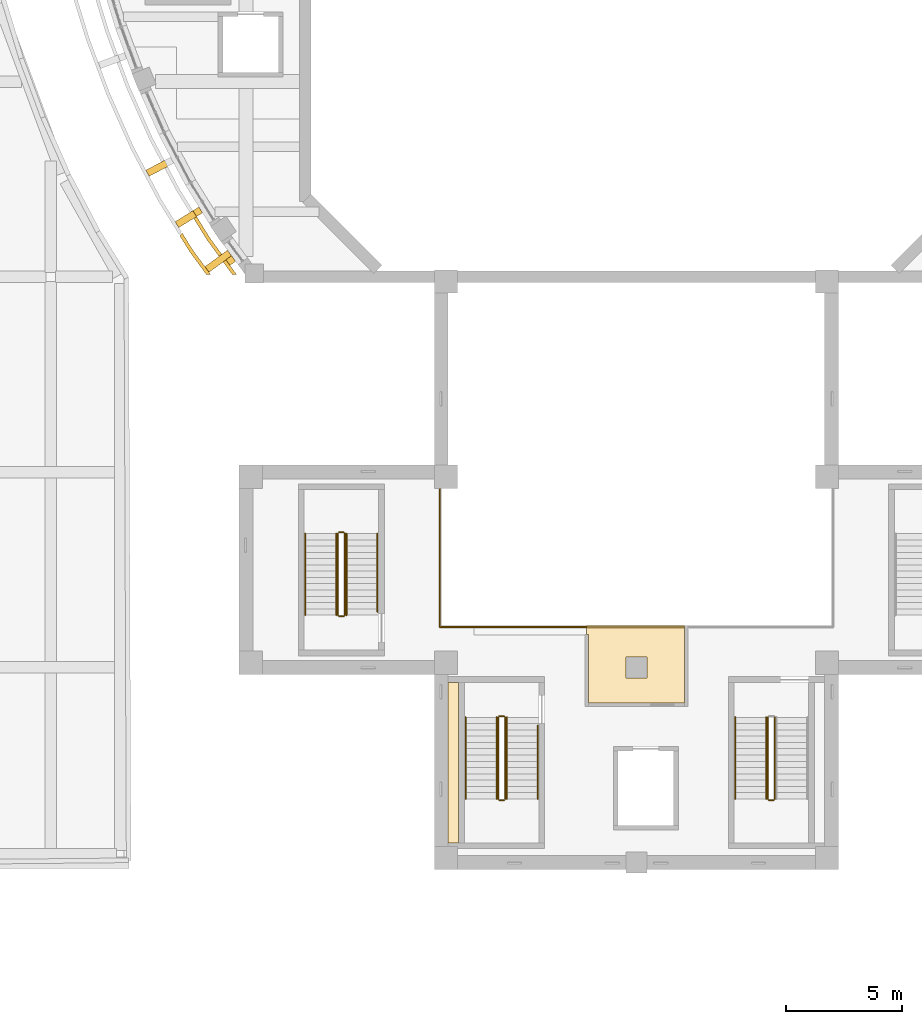
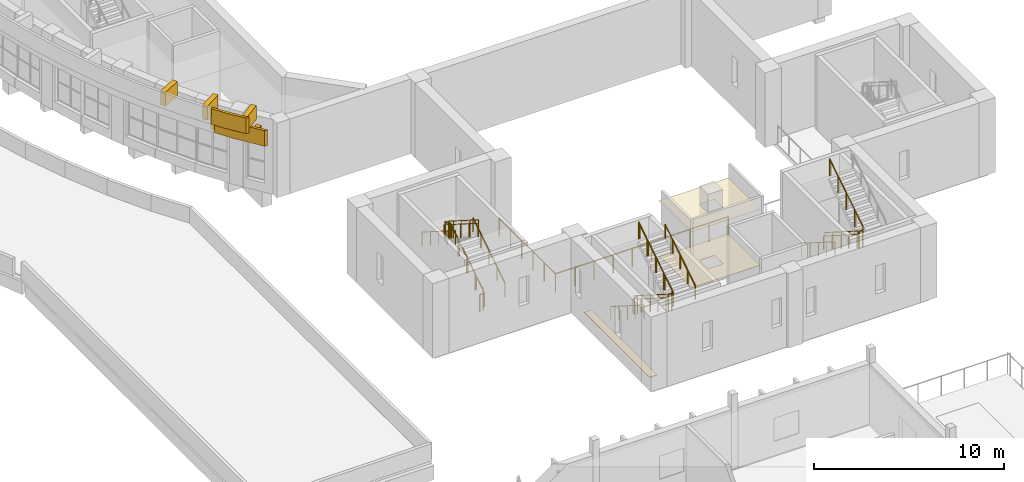
# One storey, part 60 of 79: 22 railings, 10 coverings.
"""IFC4 building model written with IfcOpenShell, lengths in metres."""

from ifc_helpers import new_model, si_unit, direction, frame, origin, origin_2d, place, context, subcontext, project, spatial, polyline, rectangle, circle, outline, extrude, material, layer, layer_set, type_object, element, save


model = new_model("IFC4")

# Units and contexts
model_context = context("Model", 3, precision=1e-05, world=origin(), true_north=direction((0.0, 1.0)))
body_context = subcontext(model_context, "Body", "Model", "MODEL_VIEW")
ifc_project = project(units=[si_unit("LENGTHUNIT", "METRE"), si_unit("AREAUNIT", "SQUARE_METRE"), si_unit("VOLUMEUNIT", "CUBIC_METRE"), si_unit("PLANEANGLEUNIT", "RADIAN"), si_unit("MASSUNIT", "GRAM", prefix="KILO")], contexts=[model_context])

# Site, building, storey
site_placement = place(None, origin())
site = spatial("IfcSite", under=ifc_project, at=site_placement, CompositionType="ELEMENT")
building_placement = place(site_placement, origin())
building = spatial("IfcBuilding", under=site, at=building_placement, Name="Larchfold Concert Hall", CompositionType="ELEMENT")
storey_placement = place(building_placement, frame((0.0, 0.0, 14.39990234375)))
storey = spatial("IfcBuildingStorey", under=building, at=storey_placement, Name="L03", CompositionType="ELEMENT", Elevation=14.39990234375)

# Coverings
ifc_material_1 = material(Name="Mineral fibre ceiling tile")
ifc_layer_1 = layer(ifc_material_1, 0.02001953125)
ifc_layer_set_1 = layer_set([ifc_layer_1], Name="Mineral fibre ceiling tile")
covering_type_1 = type_object("IfcCoveringType", Name="Ceiling mineral fibre tile 20", PredefinedType="CEILING", material=ifc_layer_set_1)
covering_1_placement = place(storey_placement, frame((0.0, 0.0, 3.60009765625)))
element("IfcCovering", 1, at=covering_1_placement, inside=storey, type_object=covering_type_1, Name="Ceiling Rigging Store", PredefinedType="CEILING", context=body_context, shape_type="SweptSolid", body=[
    extrude(outline(polyline([(40.449462890625, 44.39990234375), (40.449462890625, 44.01904296875), (40.52490234375, 44.01904296875), (40.52490234375, 41.074951171875), (44.675048828125, 41.074951171875), (44.675048828125, 44.39990234375), (40.449462890625, 44.39990234375)]), holes=[polyline([(43.050048828125, 43.050048828125), (43.050048828125, 42.150146484375), (42.150146484375, 42.150146484375), (42.150146484375, 43.050048828125), (43.050048828125, 43.050048828125)])]), origin(), (0.0, 0.0, 1.0), 0.02001953125),
])
ifc_material_2 = material(Name="Polished terrazzo")
ifc_layer_2 = layer(ifc_material_2, 0.0400390625)
ifc_layer_set_2 = layer_set([ifc_layer_2], Name="Polished terrazzo")
covering_type_2 = type_object("IfcCoveringType", Name="Floor finish terrazzo 40", PredefinedType="FLOORING", material=ifc_layer_set_2)
covering_2_placement = place(storey_placement, origin())
element("IfcCovering", 2, at=covering_2_placement, inside=storey, type_object=covering_type_2, Name="Floor finish Fly Gallery Walkway 01", PredefinedType="FLOORING", context=body_context, shape_type="SweptSolid", body=[
    extrude(outline(polyline([(34.5, 35.050048828125), (34.949951171875, 35.050048828125), (34.949951171875, 41.949951171875), (34.5, 41.949951171875), (34.5, 35.050048828125)])), origin(), (0.0, 0.0, 1.0), 0.0400390625),
])
ifc_material_3 = material(Name="Linoleum sheet")
ifc_layer_3 = layer(ifc_material_3, 0.02001953125)
ifc_layer_set_3 = layer_set([ifc_layer_3], Name="Linoleum sheet")
covering_type_3 = type_object("IfcCoveringType", Name="Floor finish vinyl 20", PredefinedType="FLOORING", material=ifc_layer_set_3)
covering_3_placement = place(storey_placement, origin())
element("IfcCovering", 3, at=covering_3_placement, inside=storey, type_object=covering_type_3, Name="Floor finish Rigging Store", PredefinedType="FLOORING", context=body_context, shape_type="SweptSolid", body=[
    extrude(outline(polyline([(40.449462890625, 44.39990234375), (40.449462890625, 44.01904296875), (40.52490234375, 44.01904296875), (40.52490234375, 41.074951171875), (44.675048828125, 41.074951171875), (44.675048828125, 44.39990234375), (40.449462890625, 44.39990234375)]), holes=[polyline([(43.050048828125, 43.050048828125), (43.050048828125, 42.150146484375), (42.150146484375, 42.150146484375), (42.150146484375, 43.050048828125), (43.050048828125, 43.050048828125)])]), origin(), (0.0, 0.0, 1.0), 0.02001953125),
])

# Railing
ifc_material_4 = material(Name="Stainless steel balustrade", Category="steel")
railing_type_1 = type_object("IfcRailingType", Name="Fly tower guard 1200", PredefinedType="GUARDRAIL", material=ifc_material_4)
railing_1_placement = place(storey_placement, frame((34.139892578125, 50.260009765625, 0.0)))
element("IfcRailing", 4, at=railing_1_placement, inside=storey, type_object=railing_type_1, Name="Guard GR0078", PredefinedType="GUARDRAIL", context=body_context, shape_type="SweptSolid", body=[
    extrude(circle(Radius=0.02392578125, at=origin_2d()), frame((0.0, 0.0, 1.17578125), z_axis=(0.0, -1.0, 0.0), x_axis=(1.0, 0.0, 0.0)), (0.0, 0.0, 1.0), 5.920166015625),
    extrude(circle(Radius=0.02392578125, at=origin_2d()), frame((0.0, -5.920166015625, 1.17578125), z_axis=(1.0, 0.0, 0.0), x_axis=(0.0, 1.0, 0.0)), (0.0, 0.0, 1.0), 10.4951171875),
    extrude(circle(Radius=0.02099609375, at=origin_2d()), origin(), (0.0, 0.0, 1.0), 1.15185546875),
    extrude(circle(Radius=0.02099609375, at=origin_2d()), frame((0.0, -1.18408203125, 0.0)), (0.0, 0.0, 1.0), 1.15185546875),
    extrude(circle(Radius=0.02099609375, at=origin_2d()), frame((0.0, -2.3681640625, 0.0)), (0.0, 0.0, 1.0), 1.15185546875),
    extrude(circle(Radius=0.02099609375, at=origin_2d()), frame((0.0, -3.552001953125, 0.0)), (0.0, 0.0, 1.0), 1.15185546875),
    extrude(circle(Radius=0.02099609375, at=origin_2d()), frame((0.0, -4.736083984375, 0.0)), (0.0, 0.0, 1.0), 1.15185546875),
    extrude(circle(Radius=0.02099609375, at=origin_2d()), frame((0.0, -5.920166015625, 0.0)), (0.0, 0.0, 1.0), 1.15185546875),
    extrude(circle(Radius=0.02099609375, at=origin_2d()), frame((1.166015625, -5.920166015625, 0.0)), (0.0, 0.0, 1.0), 1.15185546875),
    extrude(circle(Radius=0.02099609375, at=origin_2d()), frame((2.332275390625, -5.920166015625, 0.0)), (0.0, 0.0, 1.0), 1.15185546875),
    extrude(circle(Radius=0.02099609375, at=origin_2d()), frame((3.498291015625, -5.920166015625, 0.0)), (0.0, 0.0, 1.0), 1.15185546875),
    extrude(circle(Radius=0.02099609375, at=origin_2d()), frame((4.66455078125, -5.920166015625, 0.0)), (0.0, 0.0, 1.0), 1.15185546875),
    extrude(circle(Radius=0.02099609375, at=origin_2d()), frame((5.83056640625, -5.920166015625, 0.0)), (0.0, 0.0, 1.0), 1.15185546875),
    extrude(circle(Radius=0.02099609375, at=origin_2d()), frame((6.996826171875, -5.920166015625, 0.0)), (0.0, 0.0, 1.0), 1.15185546875),
    extrude(circle(Radius=0.02099609375, at=origin_2d()), frame((8.162841796875, -5.920166015625, 0.0)), (0.0, 0.0, 1.0), 1.15185546875),
    extrude(circle(Radius=0.02099609375, at=origin_2d()), frame((9.3291015625, -5.920166015625, 0.0)), (0.0, 0.0, 1.0), 1.15185546875),
    extrude(circle(Radius=0.02099609375, at=origin_2d()), frame((10.4951171875, -5.920166015625, 0.0)), (0.0, 0.0, 1.0), 1.15185546875),
])

# Coverings
ifc_material_5 = material(Name="Powder-coated orange aluminium", Category="aluminium")
ifc_layer_4 = layer(ifc_material_5, 0.14990234375)
ifc_layer_set_4 = layer_set([ifc_layer_4], Name="Powder-coated orange aluminium")
covering_type_4 = type_object("IfcCoveringType", Name="Orange aluminium ring cladding", PredefinedType="CLADDING", material=ifc_layer_set_4)
covering_4_placement = place(storey_placement, frame((0.0, 0.0, 3.300048828125)))
element("IfcCovering", 5, at=covering_4_placement, inside=storey, type_object=covering_type_4, Name="Ring band R06d", PredefinedType="CLADDING", context=body_context, shape_type="SweptSolid", body=[
    extrude(outline(polyline([(23.6591796875, 62.019287109375), (23.5576171875, 61.8984375), (24.1259765625, 60.983642578125), (25.21240234375, 59.5), (25.398193359375, 59.5), (24.25048828125, 61.067626953125), (23.6591796875, 62.019287109375)])), origin(), (0.0, 0.0, 1.0), 1.0),
])
covering_5_placement = place(storey_placement, frame((0.0, 0.0, 4.5)))
element("IfcCovering", 6, at=covering_5_placement, inside=storey, type_object=covering_type_4, Name="Ring band R07d", PredefinedType="CLADDING", context=body_context, shape_type="SweptSolid", body=[
    extrude(outline(polyline([(23.050048828125, 61.29443359375), (22.948486328125, 61.173583984375), (23.379638671875, 60.4794921875), (24.096923828125, 59.5), (24.28271484375, 59.5), (23.504150390625, 60.5634765625), (23.050048828125, 61.29443359375)])), origin(), (0.0, 0.0, 1.0), 1.0),
])
ifc_material_6 = material(Name="Galvanised steel bracket", Category="steel")
ifc_layer_5 = layer(ifc_material_6, 0.300048828125)
ifc_layer_set_5 = layer_set([ifc_layer_5], Name="Galvanised steel bracket")
covering_type_5 = type_object("IfcCoveringType", Name="Ring support bracket", PredefinedType="CLADDING", material=ifc_layer_set_5)
for number, where, z_axis, x_axis, name in (
    (7, (23.720947265625, 62.2041015625, 3.35009765625), (0.0, 0.0, 1.0), (-0.849390839977, -0.527764342263, 0.0), "Ring bracket BR-R06-25"),
    (8, (25.141845703125, 60.104248046875, 3.35009765625), (0.0, 0.0, 1.0), (-0.80684915404, -0.590757515927, 0.0), "Ring bracket BR-R06-26"),
):
    element("IfcCovering", number, at=place(storey_placement, frame(where, z_axis=z_axis, x_axis=x_axis)), inside=storey, type_object=covering_type_5, Name=name, PredefinedType="CLADDING", context=body_context, shape_type="SweptSolid", body=[
        extrude(rectangle(XDim=0.300048828125, YDim=0.300048828125, at=origin_2d()), origin(), (0.0, 0.0, 1.0), 0.89990234375),
    ])
for number, where, z_axis, x_axis, name in (
    (9, (22.09130859375, 64.141845703125, 4.550048828125), (0.0, 0.0, 1.0), (-0.884535681061, -0.466472538238, 0.0), "Ring bracket BR-R07-24"),
    (10, (23.338623046875, 61.966552734375, 4.550048828125), (0.0, 0.0, 1.0), (-0.849390839977, -0.527764342263, 0.0), "Ring bracket BR-R07-25"),
    (11, (24.60498046875, 60.075439453125, 4.550048828125), (0.0, 0.0, 1.0), (-0.80684915404, -0.590757515927, 0.0), "Ring bracket BR-R07-26"),
):
    element("IfcCovering", number, at=place(storey_placement, frame(where, z_axis=z_axis, x_axis=x_axis)), inside=storey, type_object=covering_type_5, Name=name, PredefinedType="CLADDING", context=body_context, shape_type="SweptSolid", body=[
        extrude(rectangle(XDim=1.199951171875, YDim=0.300048828125, at=origin_2d()), origin(), (0.0, 0.0, 1.0), 0.89990234375),
    ])

# Railings
ifc_material_7 = material(Name="Stainless steel balustrade", Category="steel")
railing_type_2 = type_object("IfcRailingType", Name="Stair guard 1100", PredefinedType="GUARDRAIL", material=ifc_material_7)
railing_2_placement = place(storey_placement, frame((30.050048828125, 44.85009765625, 0.171630859375)))
element("IfcRailing", 12, at=railing_2_placement, inside=storey, type_object=railing_type_2, Name="Guard GR0037", PredefinedType="GUARDRAIL", context=body_context, shape_type="SweptSolid", body=[
    extrude(circle(Radius=0.02392578125, at=origin_2d()), frame((0.0, 0.0, 1.076171875), z_axis=(0.0, 0.844219563411, 0.53599750816), x_axis=(-1.0, 0.0, 0.0)), (0.0, 0.0, 1.0), 4.15771484375),
    extrude(circle(Radius=0.02099609375, at=origin_2d()), origin(), (0.0, 0.0, 1.0), 1.052001953125),
    extrude(circle(Radius=0.02099609375, at=origin_2d()), frame((0.0, 0.87744140625, 0.55712890625)), (0.0, 0.0, 1.0), 1.052001953125),
    extrude(circle(Radius=0.02099609375, at=origin_2d()), frame((0.0, 1.7548828125, 1.1142578125)), (0.0, 0.0, 1.0), 1.052001953125),
    extrude(circle(Radius=0.02099609375, at=origin_2d()), frame((0.0, 2.632568359375, 1.67138671875)), (0.0, 0.0, 1.0), 1.052001953125),
    extrude(circle(Radius=0.02099609375, at=origin_2d()), frame((0.0, 3.510009765625, 2.228515625)), (0.0, 0.0, 1.0), 1.052001953125),
])
railing_3_placement = place(storey_placement, frame((30.0, 48.41015625, 2.400146484375)))
element("IfcRailing", 13, at=railing_3_placement, inside=storey, type_object=railing_type_2, Name="Guard GR0038", PredefinedType="GUARDRAIL", context=body_context, shape_type="SweptSolid", body=[
    extrude(circle(Radius=0.02392578125, at=origin_2d()), frame((0.0, 0.0, 1.076171875), z_axis=(-1.0, 0.0, 0.0), x_axis=(0.0, -1.0, 0.0)), (0.0, 0.0, 1.0), 0.199951171875),
    extrude(circle(Radius=0.02099609375, at=origin_2d()), origin(), (0.0, 0.0, 1.0), 1.052001953125),
    extrude(circle(Radius=0.02099609375, at=origin_2d()), frame((-0.199951171875, 0.0, 0.0)), (0.0, 0.0, 1.0), 1.052001953125),
])
railing_4_placement = place(storey_placement, frame((29.75, 48.360107421875, 2.571533203125)))
element("IfcRailing", 14, at=railing_4_placement, inside=storey, type_object=railing_type_2, Name="Guard GR0039", PredefinedType="GUARDRAIL", context=body_context, shape_type="SweptSolid", body=[
    extrude(circle(Radius=0.02392578125, at=origin_2d()), frame((0.0, 0.0, 1.076171875), z_axis=(0.0, -0.844219563411, 0.53599750816), x_axis=(1.0, 0.0, 0.0)), (0.0, 0.0, 1.0), 4.15771484375),
    extrude(circle(Radius=0.02099609375, at=origin_2d()), origin(), (0.0, 0.0, 1.0), 1.052001953125),
    extrude(circle(Radius=0.02099609375, at=origin_2d()), frame((0.0, -0.87744140625, 0.55712890625)), (0.0, 0.0, 1.0), 1.052001953125),
    extrude(circle(Radius=0.02099609375, at=origin_2d()), frame((0.0, -1.7548828125, 1.1142578125)), (0.0, 0.0, 1.0), 1.052001953125),
    extrude(circle(Radius=0.02099609375, at=origin_2d()), frame((0.0, -2.632568359375, 1.67138671875)), (0.0, 0.0, 1.0), 1.052001953125),
    extrude(circle(Radius=0.02099609375, at=origin_2d()), frame((0.0, -3.510009765625, 2.228515625)), (0.0, 0.0, 1.0), 1.052001953125),
])
railing_5_placement = place(storey_placement, frame((30.0, 44.800048828125, 0.0)))
element("IfcRailing", 15, at=railing_5_placement, inside=storey, type_object=railing_type_2, Name="Guard GR0040", PredefinedType="GUARDRAIL", context=body_context, shape_type="SweptSolid", body=[
    extrude(circle(Radius=0.02392578125, at=origin_2d()), frame((0.0, 0.0, 1.076171875), z_axis=(-1.0, 0.0, 0.0), x_axis=(0.0, -1.0, 0.0)), (0.0, 0.0, 1.0), 0.199951171875),
    extrude(circle(Radius=0.02099609375, at=origin_2d()), origin(), (0.0, 0.0, 1.0), 1.052001953125),
    extrude(circle(Radius=0.02099609375, at=origin_2d()), frame((-0.199951171875, 0.0, 0.0)), (0.0, 0.0, 1.0), 1.052001953125),
])
railing_6_placement = place(storey_placement, frame((36.64990234375, 40.449951171875, 0.171630859375)))
element("IfcRailing", 16, at=railing_6_placement, inside=storey, type_object=railing_type_2, Name="Guard GR0045", PredefinedType="GUARDRAIL", context=body_context, shape_type="SweptSolid", body=[
    extrude(circle(Radius=0.02392578125, at=origin_2d()), frame((0.0, 0.0, 1.076171875), z_axis=(0.0, -0.844219563411, 0.53599750816), x_axis=(1.0, 0.0, 0.0)), (0.0, 0.0, 1.0), 4.15771484375),
    extrude(circle(Radius=0.02099609375, at=origin_2d()), origin(), (0.0, 0.0, 1.0), 1.052001953125),
    extrude(circle(Radius=0.02099609375, at=origin_2d()), frame((0.0, -0.87744140625, 0.55712890625)), (0.0, 0.0, 1.0), 1.052001953125),
    extrude(circle(Radius=0.02099609375, at=origin_2d()), frame((0.0, -1.7548828125, 1.1142578125)), (0.0, 0.0, 1.0), 1.052001953125),
    extrude(circle(Radius=0.02099609375, at=origin_2d()), frame((0.0, -2.632568359375, 1.67138671875)), (0.0, 0.0, 1.0), 1.052001953125),
    extrude(circle(Radius=0.02099609375, at=origin_2d()), frame((0.0, -3.510009765625, 2.228515625)), (0.0, 0.0, 1.0), 1.052001953125),
])
railing_7_placement = place(storey_placement, frame((36.699951171875, 36.889892578125, 2.400146484375)))
element("IfcRailing", 17, at=railing_7_placement, inside=storey, type_object=railing_type_2, Name="Guard GR0046", PredefinedType="GUARDRAIL", context=body_context, shape_type="SweptSolid", body=[
    extrude(circle(Radius=0.02392578125, at=origin_2d()), frame((0.0, 0.0, 1.076171875), z_axis=(1.0, 0.0, 0.0), x_axis=(0.0, 1.0, 0.0)), (0.0, 0.0, 1.0), 0.199951171875),
    extrude(circle(Radius=0.02099609375, at=origin_2d()), origin(), (0.0, 0.0, 1.0), 1.052001953125),
    extrude(circle(Radius=0.02099609375, at=origin_2d()), frame((0.199951171875, 0.0, 0.0)), (0.0, 0.0, 1.0), 1.052001953125),
])
railing_8_placement = place(storey_placement, frame((36.949951171875, 36.93994140625, 2.571533203125)))
element("IfcRailing", 18, at=railing_8_placement, inside=storey, type_object=railing_type_2, Name="Guard GR0047", PredefinedType="GUARDRAIL", context=body_context, shape_type="SweptSolid", body=[
    extrude(circle(Radius=0.02392578125, at=origin_2d()), frame((0.0, 0.0, 1.076171875), z_axis=(0.0, 0.844219563411, 0.53599750816), x_axis=(-1.0, 0.0, 0.0)), (0.0, 0.0, 1.0), 4.15771484375),
    extrude(circle(Radius=0.02099609375, at=origin_2d()), origin(), (0.0, 0.0, 1.0), 1.052001953125),
    extrude(circle(Radius=0.02099609375, at=origin_2d()), frame((0.0, 0.87744140625, 0.55712890625)), (0.0, 0.0, 1.0), 1.052001953125),
    extrude(circle(Radius=0.02099609375, at=origin_2d()), frame((0.0, 1.7548828125, 1.1142578125)), (0.0, 0.0, 1.0), 1.052001953125),
    extrude(circle(Radius=0.02099609375, at=origin_2d()), frame((0.0, 2.632568359375, 1.67138671875)), (0.0, 0.0, 1.0), 1.052001953125),
    extrude(circle(Radius=0.02099609375, at=origin_2d()), frame((0.0, 3.510009765625, 2.228515625)), (0.0, 0.0, 1.0), 1.052001953125),
])
railing_9_placement = place(storey_placement, frame((36.699951171875, 40.5, 0.0)))
element("IfcRailing", 19, at=railing_9_placement, inside=storey, type_object=railing_type_2, Name="Guard GR0048", PredefinedType="GUARDRAIL", context=body_context, shape_type="SweptSolid", body=[
    extrude(circle(Radius=0.02392578125, at=origin_2d()), frame((0.0, 0.0, 1.076171875), z_axis=(1.0, 0.0, 0.0), x_axis=(0.0, 1.0, 0.0)), (0.0, 0.0, 1.0), 0.199951171875),
    extrude(circle(Radius=0.02099609375, at=origin_2d()), origin(), (0.0, 0.0, 1.0), 1.052001953125),
    extrude(circle(Radius=0.02099609375, at=origin_2d()), frame((0.199951171875, 0.0, 0.0)), (0.0, 0.0, 1.0), 1.052001953125),
])
railing_10_placement = place(storey_placement, frame((48.25, 40.449951171875, 0.171630859375)))
element("IfcRailing", 20, at=railing_10_placement, inside=storey, type_object=railing_type_2, Name="Guard GR0049", PredefinedType="GUARDRAIL", context=body_context, shape_type="SweptSolid", body=[
    extrude(circle(Radius=0.02392578125, at=origin_2d()), frame((0.0, 0.0, 1.076171875), z_axis=(0.0, -0.844219563411, 0.53599750816), x_axis=(1.0, 0.0, 0.0)), (0.0, 0.0, 1.0), 4.15771484375),
    extrude(circle(Radius=0.02099609375, at=origin_2d()), origin(), (0.0, 0.0, 1.0), 1.052001953125),
    extrude(circle(Radius=0.02099609375, at=origin_2d()), frame((0.0, -0.87744140625, 0.55712890625)), (0.0, 0.0, 1.0), 1.052001953125),
    extrude(circle(Radius=0.02099609375, at=origin_2d()), frame((0.0, -1.7548828125, 1.1142578125)), (0.0, 0.0, 1.0), 1.052001953125),
    extrude(circle(Radius=0.02099609375, at=origin_2d()), frame((0.0, -2.632568359375, 1.67138671875)), (0.0, 0.0, 1.0), 1.052001953125),
    extrude(circle(Radius=0.02099609375, at=origin_2d()), frame((0.0, -3.510009765625, 2.228515625)), (0.0, 0.0, 1.0), 1.052001953125),
])
railing_11_placement = place(storey_placement, frame((48.300048828125, 36.889892578125, 2.400146484375)))
element("IfcRailing", 21, at=railing_11_placement, inside=storey, type_object=railing_type_2, Name="Guard GR0050", PredefinedType="GUARDRAIL", context=body_context, shape_type="SweptSolid", body=[
    extrude(circle(Radius=0.02392578125, at=origin_2d()), frame((0.0, 0.0, 1.076171875), z_axis=(1.0, 0.0, 0.0), x_axis=(0.0, 1.0, 0.0)), (0.0, 0.0, 1.0), 0.199951171875),
    extrude(circle(Radius=0.02099609375, at=origin_2d()), origin(), (0.0, 0.0, 1.0), 1.052001953125),
    extrude(circle(Radius=0.02099609375, at=origin_2d()), frame((0.199951171875, 0.0, 0.0)), (0.0, 0.0, 1.0), 1.052001953125),
])
railing_12_placement = place(storey_placement, frame((48.550048828125, 36.93994140625, 2.571533203125)))
element("IfcRailing", 22, at=railing_12_placement, inside=storey, type_object=railing_type_2, Name="Guard GR0051", PredefinedType="GUARDRAIL", context=body_context, shape_type="SweptSolid", body=[
    extrude(circle(Radius=0.02392578125, at=origin_2d()), frame((0.0, 0.0, 1.076171875), z_axis=(0.0, 0.844219563411, 0.53599750816), x_axis=(-1.0, 0.0, 0.0)), (0.0, 0.0, 1.0), 4.15771484375),
    extrude(circle(Radius=0.02099609375, at=origin_2d()), origin(), (0.0, 0.0, 1.0), 1.052001953125),
    extrude(circle(Radius=0.02099609375, at=origin_2d()), frame((0.0, 0.87744140625, 0.55712890625)), (0.0, 0.0, 1.0), 1.052001953125),
    extrude(circle(Radius=0.02099609375, at=origin_2d()), frame((0.0, 1.7548828125, 1.1142578125)), (0.0, 0.0, 1.0), 1.052001953125),
    extrude(circle(Radius=0.02099609375, at=origin_2d()), frame((0.0, 2.632568359375, 1.67138671875)), (0.0, 0.0, 1.0), 1.052001953125),
    extrude(circle(Radius=0.02099609375, at=origin_2d()), frame((0.0, 3.510009765625, 2.228515625)), (0.0, 0.0, 1.0), 1.052001953125),
])
ifc_material_8 = material(Name="Stainless steel handrail", Category="steel")
railing_type_3 = type_object("IfcRailingType", Name="Stair handrail 900", PredefinedType="HANDRAIL", material=ifc_material_8)
railing_13_placement = place(storey_placement, frame((31.449951171875, 45.000244140625, 0.266845703125)))
element("IfcRailing", 23, at=railing_13_placement, inside=storey, type_object=railing_type_3, Name="Handrail HR0033", PredefinedType="HANDRAIL", context=body_context, shape_type="SweptSolid", body=[
    extrude(circle(Radius=0.02392578125, at=origin_2d()), frame((0.0, 0.0, 0.8759765625), z_axis=(0.0, 0.844206646714, 0.536017851983), x_axis=(-1.0, 0.0, 0.0)), (0.0, 0.0, 1.0), 3.97998046875),
    extrude(circle(Radius=0.02099609375, at=origin_2d()), origin(), (0.0, 0.0, 1.0), 0.851806640625),
    extrude(circle(Radius=0.02099609375, at=origin_2d()), frame((0.0, 0.83984375, 0.533203125)), (0.0, 0.0, 1.0), 0.851806640625),
    extrude(circle(Radius=0.02099609375, at=origin_2d()), frame((0.0, 1.679931640625, 1.066650390625)), (0.0, 0.0, 1.0), 0.851806640625),
    extrude(circle(Radius=0.02099609375, at=origin_2d()), frame((0.0, 2.52001953125, 1.60009765625)), (0.0, 0.0, 1.0), 0.851806640625),
    extrude(circle(Radius=0.02099609375, at=origin_2d()), frame((0.0, 3.35986328125, 2.13330078125)), (0.0, 0.0, 1.0), 0.851806640625),
])
railing_14_placement = place(storey_placement, frame((28.35009765625, 48.360107421875, 2.571533203125)))
element("IfcRailing", 24, at=railing_14_placement, inside=storey, type_object=railing_type_3, Name="Handrail HR0034", PredefinedType="HANDRAIL", context=body_context, shape_type="SweptSolid", body=[
    extrude(circle(Radius=0.02392578125, at=origin_2d()), frame((0.0, 0.0, 0.8759765625), z_axis=(0.0, -0.844219563411, 0.53599750816), x_axis=(1.0, 0.0, 0.0)), (0.0, 0.0, 1.0), 4.15771484375),
    extrude(circle(Radius=0.02099609375, at=origin_2d()), origin(), (0.0, 0.0, 1.0), 0.851806640625),
    extrude(circle(Radius=0.02099609375, at=origin_2d()), frame((0.0, -0.87744140625, 0.55712890625)), (0.0, 0.0, 1.0), 0.851806640625),
    extrude(circle(Radius=0.02099609375, at=origin_2d()), frame((0.0, -1.7548828125, 1.1142578125)), (0.0, 0.0, 1.0), 0.851806640625),
    extrude(circle(Radius=0.02099609375, at=origin_2d()), frame((0.0, -2.632568359375, 1.67138671875)), (0.0, 0.0, 1.0), 0.851806640625),
    extrude(circle(Radius=0.02099609375, at=origin_2d()), frame((0.0, -3.510009765625, 2.228515625)), (0.0, 0.0, 1.0), 0.851806640625),
])
railing_15_placement = place(storey_placement, frame((30.1201171875, 44.85009765625, 0.171630859375)))
element("IfcRailing", 25, at=railing_15_placement, inside=storey, type_object=railing_type_3, Name="Handrail HR0035", PredefinedType="HANDRAIL", context=body_context, shape_type="SweptSolid", body=[
    extrude(circle(Radius=0.02392578125, at=origin_2d()), frame((0.0, 0.0, 0.8759765625), z_axis=(0.0, 0.844219563411, 0.53599750816), x_axis=(-1.0, 0.0, 0.0)), (0.0, 0.0, 1.0), 4.15771484375),
    extrude(circle(Radius=0.02099609375, at=origin_2d()), origin(), (0.0, 0.0, 1.0), 0.851806640625),
    extrude(circle(Radius=0.02099609375, at=origin_2d()), frame((0.0, 0.87744140625, 0.55712890625)), (0.0, 0.0, 1.0), 0.851806640625),
    extrude(circle(Radius=0.02099609375, at=origin_2d()), frame((0.0, 1.7548828125, 1.1142578125)), (0.0, 0.0, 1.0), 0.851806640625),
    extrude(circle(Radius=0.02099609375, at=origin_2d()), frame((0.0, 2.632568359375, 1.67138671875)), (0.0, 0.0, 1.0), 0.851806640625),
    extrude(circle(Radius=0.02099609375, at=origin_2d()), frame((0.0, 3.510009765625, 2.228515625)), (0.0, 0.0, 1.0), 0.851806640625),
])
for number, where, name in (
    (26, (29.679931640625, 48.360107421875, 2.571533203125), "Handrail HR0036"),
    (27, (35.25, 40.449951171875, 0.171630859375), "Handrail HR0041"),
):
    element("IfcRailing", number, at=place(storey_placement, frame(where)), inside=storey, type_object=railing_type_3, Name=name, PredefinedType="HANDRAIL", context=body_context, shape_type="SweptSolid", body=[
        extrude(circle(Radius=0.02392578125, at=origin_2d()), frame((0.0, 0.0, 0.8759765625), z_axis=(0.0, -0.844219563411, 0.53599750816), x_axis=(1.0, 0.0, 0.0)), (0.0, 0.0, 1.0), 4.15771484375),
        extrude(circle(Radius=0.02099609375, at=origin_2d()), origin(), (0.0, 0.0, 1.0), 0.851806640625),
        extrude(circle(Radius=0.02099609375, at=origin_2d()), frame((0.0, -0.87744140625, 0.55712890625)), (0.0, 0.0, 1.0), 0.851806640625),
        extrude(circle(Radius=0.02099609375, at=origin_2d()), frame((0.0, -1.7548828125, 1.1142578125)), (0.0, 0.0, 1.0), 0.851806640625),
        extrude(circle(Radius=0.02099609375, at=origin_2d()), frame((0.0, -2.632568359375, 1.67138671875)), (0.0, 0.0, 1.0), 0.851806640625),
        extrude(circle(Radius=0.02099609375, at=origin_2d()), frame((0.0, -3.510009765625, 2.228515625)), (0.0, 0.0, 1.0), 0.851806640625),
    ])
railing_16_placement = place(storey_placement, frame((38.35009765625, 36.93994140625, 2.571533203125)))
element("IfcRailing", 28, at=railing_16_placement, inside=storey, type_object=railing_type_3, Name="Handrail HR0042", PredefinedType="HANDRAIL", context=body_context, shape_type="SweptSolid", body=[
    extrude(circle(Radius=0.02392578125, at=origin_2d()), frame((0.0, 0.0, 0.8759765625), z_axis=(0.0, 0.844224994989, 0.535988953092), x_axis=(-1.0, 0.0, 0.0)), (0.0, 0.0, 1.0), 3.7431640625),
    extrude(circle(Radius=0.02099609375, at=origin_2d()), origin(), (0.0, 0.0, 1.0), 0.851806640625),
    extrude(circle(Radius=0.02099609375, at=origin_2d()), frame((0.0, 0.7900390625, 0.50146484375)), (0.0, 0.0, 1.0), 0.851806640625),
    extrude(circle(Radius=0.02099609375, at=origin_2d()), frame((0.0, 1.580078125, 1.003173828125)), (0.0, 0.0, 1.0), 0.851806640625),
    extrude(circle(Radius=0.02099609375, at=origin_2d()), frame((0.0, 2.3701171875, 1.5048828125)), (0.0, 0.0, 1.0), 0.851806640625),
    extrude(circle(Radius=0.02099609375, at=origin_2d()), frame((0.0, 3.16015625, 2.00634765625)), (0.0, 0.0, 1.0), 0.851806640625),
])
railing_17_placement = place(storey_placement, frame((36.579833984375, 40.449951171875, 0.171630859375)))
element("IfcRailing", 29, at=railing_17_placement, inside=storey, type_object=railing_type_3, Name="Handrail HR0043", PredefinedType="HANDRAIL", context=body_context, shape_type="SweptSolid", body=[
    extrude(circle(Radius=0.02392578125, at=origin_2d()), frame((0.0, 0.0, 0.8759765625), z_axis=(0.0, -0.844219563411, 0.53599750816), x_axis=(1.0, 0.0, 0.0)), (0.0, 0.0, 1.0), 4.15771484375),
    extrude(circle(Radius=0.02099609375, at=origin_2d()), origin(), (0.0, 0.0, 1.0), 0.851806640625),
    extrude(circle(Radius=0.02099609375, at=origin_2d()), frame((0.0, -0.87744140625, 0.55712890625)), (0.0, 0.0, 1.0), 0.851806640625),
    extrude(circle(Radius=0.02099609375, at=origin_2d()), frame((0.0, -1.7548828125, 1.1142578125)), (0.0, 0.0, 1.0), 0.851806640625),
    extrude(circle(Radius=0.02099609375, at=origin_2d()), frame((0.0, -2.632568359375, 1.67138671875)), (0.0, 0.0, 1.0), 0.851806640625),
    extrude(circle(Radius=0.02099609375, at=origin_2d()), frame((0.0, -3.510009765625, 2.228515625)), (0.0, 0.0, 1.0), 0.851806640625),
])
railing_18_placement = place(storey_placement, frame((37.02001953125, 36.93994140625, 2.571533203125)))
element("IfcRailing", 30, at=railing_18_placement, inside=storey, type_object=railing_type_3, Name="Handrail HR0044", PredefinedType="HANDRAIL", context=body_context, shape_type="SweptSolid", body=[
    extrude(circle(Radius=0.02392578125, at=origin_2d()), frame((0.0, 0.0, 0.8759765625), z_axis=(0.0, 0.844219563411, 0.53599750816), x_axis=(-1.0, 0.0, 0.0)), (0.0, 0.0, 1.0), 4.15771484375),
    extrude(circle(Radius=0.02099609375, at=origin_2d()), origin(), (0.0, 0.0, 1.0), 0.851806640625),
    extrude(circle(Radius=0.02099609375, at=origin_2d()), frame((0.0, 0.87744140625, 0.55712890625)), (0.0, 0.0, 1.0), 0.851806640625),
    extrude(circle(Radius=0.02099609375, at=origin_2d()), frame((0.0, 1.7548828125, 1.1142578125)), (0.0, 0.0, 1.0), 0.851806640625),
    extrude(circle(Radius=0.02099609375, at=origin_2d()), frame((0.0, 2.632568359375, 1.67138671875)), (0.0, 0.0, 1.0), 0.851806640625),
    extrude(circle(Radius=0.02099609375, at=origin_2d()), frame((0.0, 3.510009765625, 2.228515625)), (0.0, 0.0, 1.0), 0.851806640625),
])
for number, where, name in (
    (31, (46.85009765625, 40.449951171875, 0.171630859375), "Handrail HR0045"),
    (32, (48.179931640625, 40.449951171875, 0.171630859375), "Handrail HR0047"),
):
    element("IfcRailing", number, at=place(storey_placement, frame(where)), inside=storey, type_object=railing_type_3, Name=name, PredefinedType="HANDRAIL", context=body_context, shape_type="SweptSolid", body=[
        extrude(circle(Radius=0.02392578125, at=origin_2d()), frame((0.0, 0.0, 0.8759765625), z_axis=(0.0, -0.844219563411, 0.53599750816), x_axis=(1.0, 0.0, 0.0)), (0.0, 0.0, 1.0), 4.15771484375),
        extrude(circle(Radius=0.02099609375, at=origin_2d()), origin(), (0.0, 0.0, 1.0), 0.851806640625),
        extrude(circle(Radius=0.02099609375, at=origin_2d()), frame((0.0, -0.87744140625, 0.55712890625)), (0.0, 0.0, 1.0), 0.851806640625),
        extrude(circle(Radius=0.02099609375, at=origin_2d()), frame((0.0, -1.7548828125, 1.1142578125)), (0.0, 0.0, 1.0), 0.851806640625),
        extrude(circle(Radius=0.02099609375, at=origin_2d()), frame((0.0, -2.632568359375, 1.67138671875)), (0.0, 0.0, 1.0), 0.851806640625),
        extrude(circle(Radius=0.02099609375, at=origin_2d()), frame((0.0, -3.510009765625, 2.228515625)), (0.0, 0.0, 1.0), 0.851806640625),
    ])

save(model, "model.ifc")
